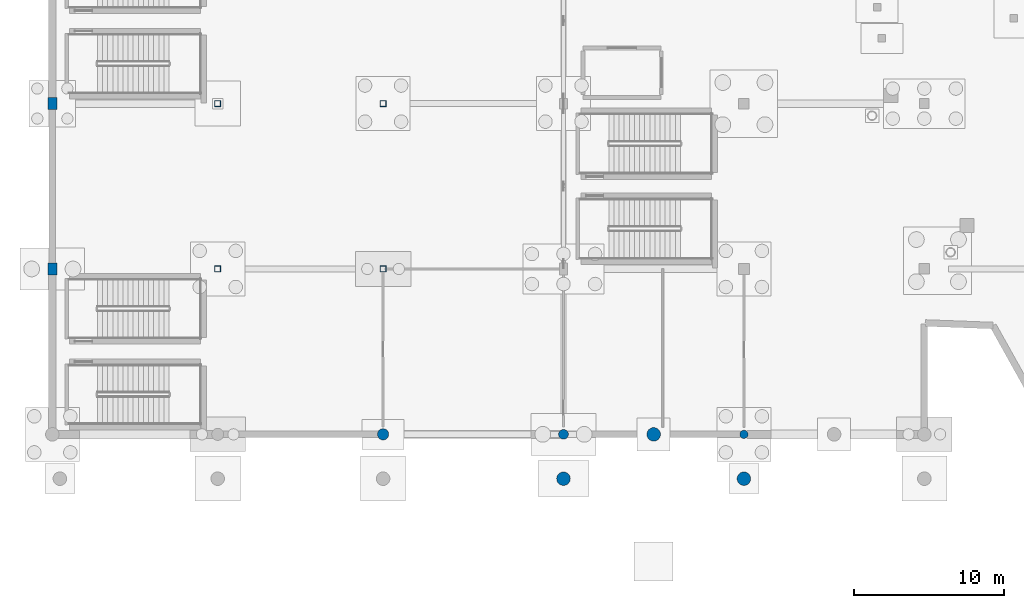
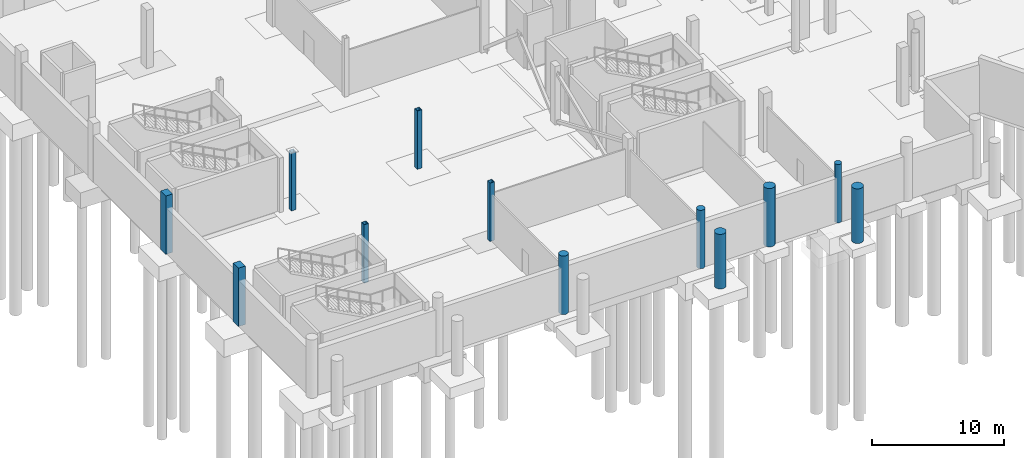
# One storey, part 9 of 60: 12 columns.
"""IFC4 building model written with IfcOpenShell, lengths in metres."""

from ifc_helpers import new_model, si_unit, direction, frame, origin, origin_2d, place, context, subcontext, project, spatial, rectangle, hollow_rectangle, circle, extrude, material, material_profile, profile_set, type_object, element, save


model = new_model("IFC4")

# Units and contexts
model_context = context("Model", 3, precision=1e-05, world=origin(), true_north=direction((0.0, 1.0)))
body_context = subcontext(model_context, "Body", "Model", "MODEL_VIEW")
ifc_project = project(units=[si_unit("LENGTHUNIT", "METRE"), si_unit("AREAUNIT", "SQUARE_METRE"), si_unit("VOLUMEUNIT", "CUBIC_METRE"), si_unit("PLANEANGLEUNIT", "RADIAN"), si_unit("MASSUNIT", "GRAM", prefix="KILO")], contexts=[model_context])

# Site, building, storey
site_placement = place(None, origin())
site = spatial("IfcSite", under=ifc_project, at=site_placement, CompositionType="ELEMENT")
building_placement = place(site_placement, origin())
building = spatial("IfcBuilding", under=site, at=building_placement, Name="Luwafu Chhajja Arena", CompositionType="ELEMENT")
storey_placement = place(building_placement, frame((0.0, 0.0, -5.39990234375)))
storey = spatial("IfcBuildingStorey", under=building, at=storey_placement, Name="B1", CompositionType="ELEMENT", Elevation=-5.39990234375)

# Columns
ifc_material_1 = material(Name="Concrete C35/45", Category="concrete")
ifc_material_profile_1 = material_profile(ifc_material_1, circle(Radius=0.375, at=origin_2d()), Name="RC COL D750")
ifc_profile_set_1 = profile_set([ifc_material_profile_1], Name="Concrete C35/45")
column_type_1 = type_object("IfcColumnType", Name="Charbagh Cloister Pier D750", PredefinedType="COLUMN", material=ifc_profile_set_1)
column_1_placement = place(storey_placement, frame((22.0, 0.0, 0.0), z_axis=(0.0, 0.0, 1.0), x_axis=(1.0, 0.0, 0.0)))
element("IfcColumn", 1, at=column_1_placement, inside=storey, type_object=column_type_1, Name="B1 Grid Column 3/A", PredefinedType="COLUMN", context=body_context, shape_type="SweptSolid", body=[
    extrude(circle(Radius=0.375, at=origin_2d()), origin(), (0.0, 0.0, 1.0), 5.39990234375),
])
ifc_material_profile_2 = material_profile(ifc_material_1, circle(Radius=0.324951171875, at=origin_2d()), Name="RC COL D650")
ifc_profile_set_2 = profile_set([ifc_material_profile_2], Name="Concrete C35/45")
column_type_2 = type_object("IfcColumnType", Name="Courtyard Arcade Pier D650", PredefinedType="COLUMN", material=ifc_profile_set_2)
column_2_placement = place(storey_placement, frame((34.0, 0.0, 0.0), z_axis=(0.0, 0.0, 1.0), x_axis=(1.0, 0.0, 0.0)))
element("IfcColumn", 2, at=column_2_placement, inside=storey, type_object=column_type_2, Name="B1 Grid Column 4/A", PredefinedType="COLUMN", context=body_context, shape_type="SweptSolid", body=[
    extrude(circle(Radius=0.324951171875, at=origin_2d()), origin(), (0.0, 0.0, 1.0), 5.39990234375),
])
ifc_material_2 = material(Name="Concrete C40/50", Category="concrete")
ifc_material_profile_3 = material_profile(ifc_material_2, circle(Radius=0.449951171875, at=origin_2d()), Name="RC COL D900")
ifc_profile_set_3 = profile_set([ifc_material_profile_3], Name="Concrete C40/50")
column_type_3 = type_object("IfcColumnType", Name="Mughal Colonnade Drum Pier D900", PredefinedType="COLUMN", material=ifc_profile_set_3)
column_3_placement = place(storey_placement, frame((40.0, 0.0, 0.0), z_axis=(0.0, 0.0, 1.0), x_axis=(1.0, 0.0, 0.0)))
element("IfcColumn", 3, at=column_3_placement, inside=storey, type_object=column_type_3, Name="B1 Mughal Riwaq Colonnade Pier SLW03", PredefinedType="COLUMN", context=body_context, shape_type="SweptSolid", body=[
    extrude(circle(Radius=0.449951171875, at=origin_2d()), origin(), (0.0, 0.0, 1.0), 5.39990234375),
])
for number, where, z_axis, x_axis, name in (
    (4, (34.0, -2.949951171875, 0.0), (0.0, 0.0, 1.0), (1.0, 0.0, 0.0), "B1 Plinth Apron Pier FC04"),
    (5, (46.0, -2.949951171875, 0.0), (0.0, 0.0, 1.0), (1.0, 0.0, 0.0), "B1 Plinth Apron Pier FC05"),
):
    element("IfcColumn", number, at=place(storey_placement, frame(where, z_axis=z_axis, x_axis=x_axis)), inside=storey, type_object=column_type_3, Name=name, PredefinedType="COLUMN", context=body_context, shape_type="SweptSolid", body=[
        extrude(circle(Radius=0.449951171875, at=origin_2d()), origin(), (0.0, 0.0, 1.0), 5.0498046875),
    ])
ifc_material_profile_4 = material_profile(ifc_material_2, rectangle(XDim=0.60009765625, YDim=0.800048828125, at=origin_2d()), Name="RC 600x800")
ifc_profile_set_4 = profile_set([ifc_material_profile_4], Name="Concrete C40/50")
column_type_4 = type_object("IfcColumnType", Name="Pishtaq Pier Column RC 600x800", PredefinedType="COLUMN", material=ifc_profile_set_4)
for number, where, z_axis, x_axis, name in (
    (6, (0.0, 11.0, 0.0), (0.0, 0.0, 1.0), (1.0, 0.0, 0.0), "B1 Grid Column 1/B"),
    (7, (0.0, 22.0, 0.0), (0.0, 0.0, 1.0), (1.0, 0.0, 0.0), "B1 Grid Column 1/C"),
):
    element("IfcColumn", number, at=place(storey_placement, frame(where, z_axis=z_axis, x_axis=x_axis)), inside=storey, type_object=column_type_4, Name=name, PredefinedType="COLUMN", context=body_context, shape_type="SweptSolid", body=[
        extrude(rectangle(XDim=0.60009765625, YDim=0.800048828125, at=origin_2d()), origin(), (0.0, 0.0, 1.0), 5.39990234375),
    ])
ifc_material_3 = material(Name="Steel S355", Category="steel")
ifc_material_profile_5 = material_profile(ifc_material_3, hollow_rectangle(XDim=0.39990234375, YDim=0.39990234375, WallThickness=0.02001953125, at=origin_2d()), Name="SHS 400x400x20")
ifc_profile_set_5 = profile_set([ifc_material_profile_5], Name="Steel S355")
column_type_5 = type_object("IfcColumnType", Name="Steel Atrium Column SHS 400", PredefinedType="COLUMN", material=ifc_profile_set_5)
for number, where, z_axis, x_axis, name in (
    (8, (11.0, 11.0, 0.0), (0.0, 0.0, 1.0), (1.0, 0.0, 0.0), "B1 Grid Column 2/B"),
    (9, (11.0, 22.0, 0.0), (0.0, 0.0, 1.0), (1.0, 0.0, 0.0), "B1 Grid Column 2/C"),
    (10, (22.0, 11.0, 0.0), (0.0, 0.0, 1.0), (1.0, 0.0, 0.0), "B1 Grid Column 3/B"),
    (11, (22.0, 22.0, 0.0), (0.0, 0.0, 1.0), (1.0, 0.0, 0.0), "B1 Grid Column 3/C"),
):
    element("IfcColumn", number, at=place(storey_placement, frame(where, z_axis=z_axis, x_axis=x_axis)), inside=storey, type_object=column_type_5, Name=name, PredefinedType="COLUMN", context=body_context, shape_type="SweptSolid", body=[
        extrude(hollow_rectangle(XDim=0.39990234375, YDim=0.39990234375, WallThickness=0.02001953125, at=origin_2d()), origin(), (0.0, 0.0, 1.0), 5.39990234375),
    ])
ifc_material_profile_6 = material_profile(ifc_material_1, circle(Radius=0.27490234375, at=origin_2d()), Name="RC COL D550")
ifc_profile_set_6 = profile_set([ifc_material_profile_6], Name="Concrete C35/45")
column_type_6 = type_object("IfcColumnType", Name="Terrace Loggia Pier D550", PredefinedType="COLUMN", material=ifc_profile_set_6)
column_4_placement = place(storey_placement, frame((46.0, 0.0, 0.0), z_axis=(0.0, 0.0, 1.0), x_axis=(1.0, 0.0, 0.0)))
element("IfcColumn", 12, at=column_4_placement, inside=storey, type_object=column_type_6, Name="B1 Grid Column 5/A", PredefinedType="COLUMN", context=body_context, shape_type="SweptSolid", body=[
    extrude(circle(Radius=0.27490234375, at=origin_2d()), origin(), (0.0, 0.0, 1.0), 5.39990234375),
])

save(model, "model.ifc")
